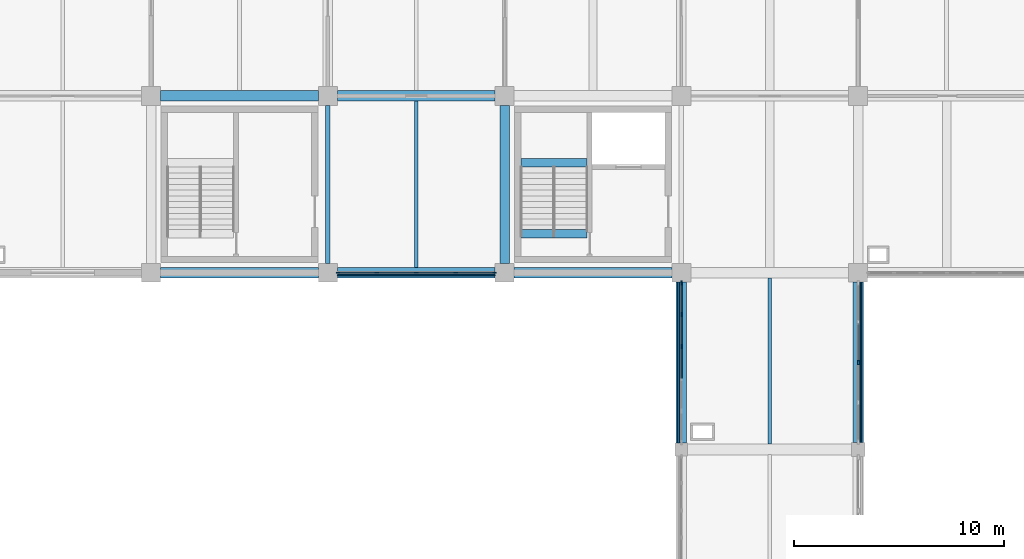
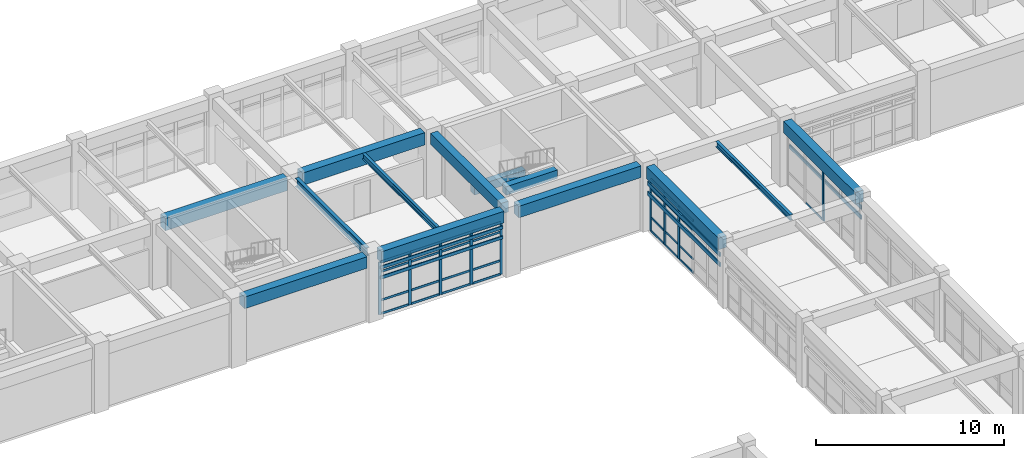
# One storey, part 40 of 99: 44 members, 13 beams, 3 elements without a shape of their own.
"""IFC4 building model written with IfcOpenShell, lengths in metres."""

from ifc_helpers import new_model, si_unit, direction, frame, origin, origin_2d, place, context, subcontext, project, spatial, rectangle, i_section, extrude, material, layer, layer_set, material_profile, profile_set, type_object, element, aggregate, save


model = new_model("IFC4")

# Units and contexts
model_context = context("Model", 3, precision=1e-05, world=origin(), true_north=direction((0.0, 1.0)))
body_context = subcontext(model_context, "Body", "Model", "MODEL_VIEW")
ifc_project = project(units=[si_unit("LENGTHUNIT", "METRE"), si_unit("AREAUNIT", "SQUARE_METRE"), si_unit("VOLUMEUNIT", "CUBIC_METRE"), si_unit("PLANEANGLEUNIT", "RADIAN"), si_unit("MASSUNIT", "GRAM", prefix="KILO")], contexts=[model_context])

# Site, building, storey
site_placement = place(None, origin())
site = spatial("IfcSite", under=ifc_project, at=site_placement, CompositionType="ELEMENT")
building_placement = place(site_placement, origin())
building = spatial("IfcBuilding", under=site, at=building_placement, Name="Porcellanite Civic Hall", CompositionType="ELEMENT")
storey_placement = place(building_placement, frame((0.0, 0.0, 5.760009765625)))
storey = spatial("IfcBuildingStorey", under=building, at=storey_placement, Name="L01", CompositionType="ELEMENT", Elevation=5.760009765625)

# Beams
ifc_material_1 = material(Name="Concrete N50 (50 MPa)", Category="concrete")
ifc_material_profile_1 = material_profile(ifc_material_1, rectangle(XDim=0.39990234375, YDim=0.550048828125, at=origin_2d()), Name="RC-400x550")
ifc_profile_set_1 = profile_set([ifc_material_profile_1], Name="Concrete N50 (50 MPa)")
beam_type_1 = type_object("IfcBeamType", Name="BM-RC550", PredefinedType="JOIST", material=ifc_profile_set_1)
for number, where, z_axis, x_axis, name in (
    (1, (109.98046875, 106.02490234375, 1.885009765625), (1.0, 0.0, 0.0), (0.0, 1.0, 0.0), "Stair landing beam C4 L01"),
    (2, (109.98046875, 102.64990234375, 3.925048828125), (1.0, 0.0, 0.0), (0.0, 1.0, 0.0), "Stair header beam C4 L01"),
):
    element("IfcBeam", number, at=place(storey_placement, frame(where, z_axis=z_axis, x_axis=x_axis)), inside=storey, type_object=beam_type_1, Name=name, PredefinedType="JOIST", context=body_context, shape_type="SweptSolid", body=[
        extrude(rectangle(XDim=0.39990234375, YDim=0.550048828125, at=origin_2d()), origin(), (0.0, 0.0, 1.0), 3.138916015625),
    ])
ifc_material_2 = material(Name="Concrete N50 (50 MPa)", Category="concrete")
ifc_material_profile_2 = material_profile(ifc_material_2, rectangle(XDim=0.449951171875, YDim=0.699951171875, at=origin_2d()), Name="RC-450x700")
ifc_profile_set_2 = profile_set([ifc_material_profile_2], Name="Concrete N50 (50 MPa)")
beam_type_2 = type_object("IfcBeamType", Name="BM-RC700", PredefinedType="BEAM", material=ifc_profile_set_2)
beam_1_placement = place(storey_placement, frame((109.199951171875, 101.24951171875, 3.85009765625), z_axis=(0.0, 1.0, 0.0), x_axis=(-1.0, 0.0, 0.0)))
element("IfcBeam", 3, at=beam_1_placement, inside=storey, type_object=beam_type_2, Name="Beam Y L01 14-13", PredefinedType="BEAM", context=body_context, shape_type="SweptSolid", body=[
    extrude(rectangle(XDim=0.449951171875, YDim=0.699951171875, at=origin_2d()), origin(), (0.0, 0.0, 1.0), 7.5009765625),
])
ifc_material_3 = material(Name="Concrete N50 (50 MPa)", Category="concrete")
ifc_material_profile_3 = material_profile(ifc_material_3, rectangle(XDim=0.5, YDim=0.75, at=origin_2d()), Name="RC-500x750")
ifc_profile_set_3 = profile_set([ifc_material_profile_3], Name="Concrete N50 (50 MPa)")
beam_type_3 = type_object("IfcBeamType", Name="BM-RC750", PredefinedType="SPANDREL", material=ifc_profile_set_3)
for number, where, z_axis, x_axis, name in (
    (4, (92.849609375, 100.800048828125, 3.824951171875), (1.0, 0.0, 0.0), (0.0, 1.0, 0.0), "Beam X L01 12-13"),
    (5, (101.24951171875, 100.800048828125, 3.824951171875), (1.0, 0.0, 0.0), (0.0, 1.0, 0.0), "Beam X L01 13-13"),
    (6, (109.6494140625, 100.800048828125, 3.824951171875), (1.0, 0.0, 0.0), (0.0, 1.0, 0.0), "Beam X L01 14-13"),
):
    element("IfcBeam", number, at=place(storey_placement, frame(where, z_axis=z_axis, x_axis=x_axis)), inside=storey, type_object=beam_type_3, Name=name, PredefinedType="SPANDREL", context=body_context, shape_type="SweptSolid", body=[
        extrude(rectangle(XDim=0.5, YDim=0.75, at=origin_2d()), origin(), (0.0, 0.0, 1.0), 7.5009765625),
    ])
beam_2_placement = place(storey_placement, frame((117.60009765625, 92.699462890625, 3.824951171875), z_axis=(0.0, 1.0, 0.0), x_axis=(-1.0, 0.0, 0.0)))
element("IfcBeam", 7, at=beam_2_placement, inside=storey, type_object=beam_type_3, Name="Beam Y L01 15-12", PredefinedType="SPANDREL", context=body_context, shape_type="SweptSolid", body=[
    extrude(rectangle(XDim=0.5, YDim=0.75, at=origin_2d()), origin(), (0.0, 0.0, 1.0), 7.651123046875),
])
beam_3_placement = place(storey_placement, frame((126.0, 92.724609375, 3.824951171875), z_axis=(0.0, 1.0, 0.0), x_axis=(-1.0, 0.0, 0.0)))
element("IfcBeam", 8, at=beam_3_placement, inside=storey, type_object=beam_type_3, Name="Beam Y L01 16-12", PredefinedType="SPANDREL", context=body_context, shape_type="SweptSolid", body=[
    extrude(rectangle(XDim=0.5, YDim=0.75, at=origin_2d()), origin(), (0.0, 0.0, 1.0), 7.6259765625),
])
ifc_material_4 = material(Name="Concrete N50 (50 MPa)", Category="concrete")
ifc_material_profile_4 = material_profile(ifc_material_4, rectangle(XDim=0.5, YDim=0.800048828125, at=origin_2d()), Name="RC-500x800")
ifc_profile_set_4 = profile_set([ifc_material_profile_4], Name="Concrete N50 (50 MPa)")
beam_type_4 = type_object("IfcBeamType", Name="BM-RC800", PredefinedType="BEAM", material=ifc_profile_set_4)
for number, where, z_axis, x_axis, name in (
    (9, (92.849609375, 109.199951171875, 3.800048828125), (1.0, 0.0, 0.0), (0.0, 1.0, 0.0), "Beam X L01 12-14"),
    (10, (101.24951171875, 109.199951171875, 3.800048828125), (1.0, 0.0, 0.0), (0.0, 1.0, 0.0), "Beam X L01 13-14"),
):
    element("IfcBeam", number, at=place(storey_placement, frame(where, z_axis=z_axis, x_axis=x_axis)), inside=storey, type_object=beam_type_4, Name=name, PredefinedType="BEAM", context=body_context, shape_type="SweptSolid", body=[
        extrude(rectangle(XDim=0.5, YDim=0.800048828125, at=origin_2d()), origin(), (0.0, 0.0, 1.0), 7.5009765625),
    ])

# Curtain wall, member
ifc_material_5 = material(Name="Anodised aluminium and solar laminated glass", Category="aluminium")
ifc_layer_1 = layer(ifc_material_5, 0.179931640625)
ifc_layer_set_1 = layer_set([ifc_layer_1], Name="Anodised aluminium and solar laminated glass")
curtain_wall_type_1 = type_object("IfcCurtainWallType", Name="CW-SYS03", PredefinedType="NOTDEFINED", material=ifc_layer_set_1)
curtain_wall_1_placement = place(storey_placement, origin())
curtain_wall_1 = element("IfcCurtainWall", 11, at=curtain_wall_1_placement, inside=storey, type_object=curtain_wall_type_1, Name="Curtain wall CW-114", PredefinedType="NOTDEFINED")
ifc_material_6 = material(Name="Anodised aluminium 6063-T6", Category="aluminium")
ifc_material_profile_5 = material_profile(ifc_material_6, rectangle(XDim=0.080078125, YDim=0.2099609375, at=origin_2d()), Name="AL-80x210")
ifc_profile_set_5 = profile_set([ifc_material_profile_5], Name="Anodised aluminium 6063-T6")
member_type_1 = type_object("IfcMemberType", Name="CWM-02", PredefinedType="MULLION", material=ifc_profile_set_5)
member_1_placement = place(storey_placement, frame((126.0, 96.53759765625, 0.0), z_axis=(0.0, 0.0, 1.0), x_axis=(1.0, 0.0, 0.0)))
member_1 = element("IfcMember", 12, at=member_1_placement, type_object=member_type_1, Name="CW-114 mullion 3", PredefinedType="MULLION", context=body_context, shape_type="SweptSolid", body=[
    extrude(rectangle(XDim=0.080078125, YDim=0.2099609375, at=origin_2d()), origin(), (0.0, 0.0, 1.0), 3.39990234375),
])

# Curtain wall, members
ifc_material_7 = material(Name="Anodised aluminium and solar laminated glass", Category="aluminium")
ifc_layer_2 = layer(ifc_material_7, 0.179931640625)
ifc_layer_set_2 = layer_set([ifc_layer_2], Name="Anodised aluminium and solar laminated glass")
curtain_wall_type_2 = type_object("IfcCurtainWallType", Name="CW-SYS01", PredefinedType="NOTDEFINED", material=ifc_layer_set_2)
curtain_wall_2_placement = place(storey_placement, origin())
curtain_wall_2 = element("IfcCurtainWall", 13, at=curtain_wall_2_placement, inside=storey, type_object=curtain_wall_type_2, Name="Curtain wall CW-113", PredefinedType="NOTDEFINED")
ifc_material_8 = material(Name="Anodised aluminium 6063-T6", Category="aluminium")
ifc_material_profile_6 = material_profile(ifc_material_8, rectangle(XDim=0.070068359375, YDim=0.199951171875, at=origin_2d()), Name="AL-70x200")
ifc_profile_set_6 = profile_set([ifc_material_profile_6], Name="Anodised aluminium 6063-T6")
member_type_2 = type_object("IfcMemberType", Name="CWM-05", PredefinedType="MULLION", material=ifc_profile_set_6)
member_2_placement = place(storey_placement, frame((117.60009765625, 97.289794921875, 0.0), z_axis=(0.0, 0.0, 1.0), x_axis=(-1.0, 0.0, 0.0)))
member_2 = element("IfcMember", 14, at=member_2_placement, type_object=member_type_2, Name="CW-113 mullion 4", PredefinedType="MULLION", context=body_context, shape_type="SweptSolid", body=[
    extrude(rectangle(XDim=0.070068359375, YDim=0.199951171875, at=origin_2d()), origin(), (0.0, 0.0, 1.0), 3.39990234375),
])
member_3_placement = place(storey_placement, frame((117.60009765625, 98.8193359375, 0.0), z_axis=(0.0, 0.0, 1.0), x_axis=(-1.0, 0.0, 0.0)))
member_3 = element("IfcMember", 15, at=member_3_placement, type_object=member_type_2, Name="CW-113 mullion 5", PredefinedType="MULLION", context=body_context, shape_type="SweptSolid", body=[
    extrude(rectangle(XDim=0.070068359375, YDim=0.199951171875, at=origin_2d()), origin(), (0.0, 0.0, 1.0), 3.39990234375),
])
member_4_placement = place(storey_placement, frame((117.60009765625, 100.31396484375, 0.0), z_axis=(0.0, 0.0, 1.0), x_axis=(-1.0, 0.0, 0.0)))
member_4 = element("IfcMember", 16, at=member_4_placement, type_object=member_type_2, Name="CW-113 mullion 6", PredefinedType="MULLION", context=body_context, shape_type="SweptSolid", body=[
    extrude(rectangle(XDim=0.070068359375, YDim=0.199951171875, at=origin_2d()), origin(), (0.0, 0.0, 1.0), 3.39990234375),
])

ifc_material_9 = material(Name="Anodised aluminium and solar laminated glass", Category="aluminium")
ifc_layer_3 = layer(ifc_material_9, 0.179931640625)
ifc_layer_set_3 = layer_set([ifc_layer_3], Name="Anodised aluminium and solar laminated glass")
curtain_wall_type_3 = type_object("IfcCurtainWallType", Name="CW-SYS06", PredefinedType="NOTDEFINED", material=ifc_layer_set_3)
curtain_wall_3_placement = place(storey_placement, origin())
curtain_wall_3 = element("IfcCurtainWall", 17, at=curtain_wall_3_placement, inside=storey, type_object=curtain_wall_type_3, Name="Curtain wall CW-104", PredefinedType="NOTDEFINED")
ifc_material_10 = material(Name="Anodised aluminium 6063-T6", Category="aluminium")
ifc_material_profile_7 = material_profile(ifc_material_10, rectangle(XDim=0.06494140625, YDim=0.179931640625, at=origin_2d()), Name="AL-65x180")
ifc_profile_set_7 = profile_set([ifc_material_profile_7], Name="Anodised aluminium 6063-T6")
member_type_3 = type_object("IfcMemberType", Name="CWM-06", PredefinedType="MULLION", material=ifc_profile_set_7)
member_5_placement = place(storey_placement, frame((108.716552734375, 100.800048828125, 0.0), z_axis=(0.0, 0.0, 1.0), x_axis=(0.0, -1.0, 0.0)))
member_5 = element("IfcMember", 18, at=member_5_placement, type_object=member_type_3, Name="CW-104 mullion 1", PredefinedType="MULLION", context=body_context, shape_type="SweptSolid", body=[
    extrude(rectangle(XDim=0.06494140625, YDim=0.179931640625, at=origin_2d()), origin(), (0.0, 0.0, 1.0), 3.39990234375),
])
member_6_placement = place(storey_placement, frame((106.87451171875, 100.800048828125, 0.0), z_axis=(0.0, 0.0, 1.0), x_axis=(0.0, -1.0, 0.0)))
member_6 = element("IfcMember", 19, at=member_6_placement, type_object=member_type_3, Name="CW-104 mullion 2", PredefinedType="MULLION", context=body_context, shape_type="SweptSolid", body=[
    extrude(rectangle(XDim=0.06494140625, YDim=0.179931640625, at=origin_2d()), origin(), (0.0, 0.0, 1.0), 3.39990234375),
])
member_7_placement = place(storey_placement, frame((105.0, 100.800048828125, 0.0), z_axis=(0.0, 0.0, 1.0), x_axis=(0.0, -1.0, 0.0)))
member_7 = element("IfcMember", 20, at=member_7_placement, type_object=member_type_3, Name="CW-104 mullion 3", PredefinedType="MULLION", context=body_context, shape_type="SweptSolid", body=[
    extrude(rectangle(XDim=0.06494140625, YDim=0.179931640625, at=origin_2d()), origin(), (0.0, 0.0, 1.0), 3.39990234375),
])
member_8_placement = place(storey_placement, frame((103.12548828125, 100.800048828125, 0.0), z_axis=(0.0, 0.0, 1.0), x_axis=(0.0, -1.0, 0.0)))
member_8 = element("IfcMember", 21, at=member_8_placement, type_object=member_type_3, Name="CW-104 mullion 4", PredefinedType="MULLION", context=body_context, shape_type="SweptSolid", body=[
    extrude(rectangle(XDim=0.06494140625, YDim=0.179931640625, at=origin_2d()), origin(), (0.0, 0.0, 1.0), 3.39990234375),
])
member_9_placement = place(storey_placement, frame((101.283447265625, 100.800048828125, 0.0), z_axis=(0.0, 0.0, 1.0), x_axis=(0.0, -1.0, 0.0)))
member_9 = element("IfcMember", 22, at=member_9_placement, type_object=member_type_3, Name="CW-104 mullion 5", PredefinedType="MULLION", context=body_context, shape_type="SweptSolid", body=[
    extrude(rectangle(XDim=0.06494140625, YDim=0.179931640625, at=origin_2d()), origin(), (0.0, 0.0, 1.0), 3.39990234375),
])

# Member
ifc_material_11 = material(Name="Anodised aluminium 6063-T6", Category="aluminium")
ifc_material_profile_8 = material_profile(ifc_material_11, rectangle(XDim=0.06005859375, YDim=0.1298828125, at=origin_2d()), Name="AL-60x130")
ifc_profile_set_8 = profile_set([ifc_material_profile_8], Name="Anodised aluminium 6063-T6")
member_type_4 = type_object("IfcMemberType", Name="CWT-03", PredefinedType="USERDEFINED", material=ifc_profile_set_8)
member_10_placement = place(storey_placement, frame((117.60009765625, 95.795166015625, 0.030029296875), z_axis=(0.0, 1.0, 0.0), x_axis=(-1.0, 0.0, 0.0)))
member_10 = element("IfcMember", 23, at=member_10_placement, type_object=member_type_4, Name="CW-113 transom 3.1", ObjectType="TRANSOM", PredefinedType="USERDEFINED", context=body_context, shape_type="SweptSolid", body=[
    extrude(rectangle(XDim=0.06005859375, YDim=0.1298828125, at=origin_2d()), origin(), (0.0, 0.0, 1.0), 1.459716796875),
])

member_11_placement = place(storey_placement, frame((117.60009765625, 95.795166015625, 0.89990234375), z_axis=(0.0, 1.0, 0.0), x_axis=(-1.0, 0.0, 0.0)))
member_11 = element("IfcMember", 24, at=member_11_placement, type_object=member_type_4, Name="CW-113 transom 3.2", ObjectType="TRANSOM", PredefinedType="USERDEFINED", context=body_context, shape_type="SweptSolid", body=[
    extrude(rectangle(XDim=0.06005859375, YDim=0.1298828125, at=origin_2d()), origin(), (0.0, 0.0, 1.0), 1.459716796875),
])

member_12_placement = place(storey_placement, frame((117.60009765625, 95.795166015625, 2.75), z_axis=(0.0, 1.0, 0.0), x_axis=(-1.0, 0.0, 0.0)))
member_12 = element("IfcMember", 25, at=member_12_placement, type_object=member_type_4, Name="CW-113 transom 3.3", ObjectType="TRANSOM", PredefinedType="USERDEFINED", context=body_context, shape_type="SweptSolid", body=[
    extrude(rectangle(XDim=0.06005859375, YDim=0.1298828125, at=origin_2d()), origin(), (0.0, 0.0, 1.0), 1.459716796875),
])

member_13_placement = place(storey_placement, frame((117.60009765625, 95.795166015625, 3.369873046875), z_axis=(0.0, 1.0, 0.0), x_axis=(-1.0, 0.0, 0.0)))
member_13 = element("IfcMember", 26, at=member_13_placement, type_object=member_type_4, Name="CW-113 transom 3.4", ObjectType="TRANSOM", PredefinedType="USERDEFINED", context=body_context, shape_type="SweptSolid", body=[
    extrude(rectangle(XDim=0.06005859375, YDim=0.1298828125, at=origin_2d()), origin(), (0.0, 0.0, 1.0), 1.459716796875),
])

member_14_placement = place(storey_placement, frame((117.60009765625, 97.32470703125, 0.030029296875), z_axis=(0.0, 1.0, 0.0), x_axis=(-1.0, 0.0, 0.0)))
member_14 = element("IfcMember", 27, at=member_14_placement, type_object=member_type_4, Name="CW-113 transom 4.1", ObjectType="TRANSOM", PredefinedType="USERDEFINED", context=body_context, shape_type="SweptSolid", body=[
    extrude(rectangle(XDim=0.06005859375, YDim=0.1298828125, at=origin_2d()), origin(), (0.0, 0.0, 1.0), 1.459716796875),
])

member_15_placement = place(storey_placement, frame((117.60009765625, 97.32470703125, 0.89990234375), z_axis=(0.0, 1.0, 0.0), x_axis=(-1.0, 0.0, 0.0)))
member_15 = element("IfcMember", 28, at=member_15_placement, type_object=member_type_4, Name="CW-113 transom 4.2", ObjectType="TRANSOM", PredefinedType="USERDEFINED", context=body_context, shape_type="SweptSolid", body=[
    extrude(rectangle(XDim=0.06005859375, YDim=0.1298828125, at=origin_2d()), origin(), (0.0, 0.0, 1.0), 1.459716796875),
])

member_16_placement = place(storey_placement, frame((117.60009765625, 97.32470703125, 2.75), z_axis=(0.0, 1.0, 0.0), x_axis=(-1.0, 0.0, 0.0)))
member_16 = element("IfcMember", 29, at=member_16_placement, type_object=member_type_4, Name="CW-113 transom 4.3", ObjectType="TRANSOM", PredefinedType="USERDEFINED", context=body_context, shape_type="SweptSolid", body=[
    extrude(rectangle(XDim=0.06005859375, YDim=0.1298828125, at=origin_2d()), origin(), (0.0, 0.0, 1.0), 1.459716796875),
])

member_17_placement = place(storey_placement, frame((117.60009765625, 97.32470703125, 3.369873046875), z_axis=(0.0, 1.0, 0.0), x_axis=(-1.0, 0.0, 0.0)))
member_17 = element("IfcMember", 30, at=member_17_placement, type_object=member_type_4, Name="CW-113 transom 4.4", ObjectType="TRANSOM", PredefinedType="USERDEFINED", context=body_context, shape_type="SweptSolid", body=[
    extrude(rectangle(XDim=0.06005859375, YDim=0.1298828125, at=origin_2d()), origin(), (0.0, 0.0, 1.0), 1.459716796875),
])

member_18_placement = place(storey_placement, frame((117.60009765625, 98.8544921875, 0.030029296875), z_axis=(0.0, 1.0, 0.0), x_axis=(-1.0, 0.0, 0.0)))
member_18 = element("IfcMember", 31, at=member_18_placement, type_object=member_type_4, Name="CW-113 transom 5.1", ObjectType="TRANSOM", PredefinedType="USERDEFINED", context=body_context, shape_type="SweptSolid", body=[
    extrude(rectangle(XDim=0.06005859375, YDim=0.1298828125, at=origin_2d()), origin(), (0.0, 0.0, 1.0), 1.424560546875),
])

member_19_placement = place(storey_placement, frame((117.60009765625, 98.8544921875, 0.89990234375), z_axis=(0.0, 1.0, 0.0), x_axis=(-1.0, 0.0, 0.0)))
member_19 = element("IfcMember", 32, at=member_19_placement, type_object=member_type_4, Name="CW-113 transom 5.2", ObjectType="TRANSOM", PredefinedType="USERDEFINED", context=body_context, shape_type="SweptSolid", body=[
    extrude(rectangle(XDim=0.06005859375, YDim=0.1298828125, at=origin_2d()), origin(), (0.0, 0.0, 1.0), 1.424560546875),
])

member_20_placement = place(storey_placement, frame((117.60009765625, 98.8544921875, 2.75), z_axis=(0.0, 1.0, 0.0), x_axis=(-1.0, 0.0, 0.0)))
member_20 = element("IfcMember", 33, at=member_20_placement, type_object=member_type_4, Name="CW-113 transom 5.3", ObjectType="TRANSOM", PredefinedType="USERDEFINED", context=body_context, shape_type="SweptSolid", body=[
    extrude(rectangle(XDim=0.06005859375, YDim=0.1298828125, at=origin_2d()), origin(), (0.0, 0.0, 1.0), 1.424560546875),
])

member_21_placement = place(storey_placement, frame((117.60009765625, 98.8544921875, 3.369873046875), z_axis=(0.0, 1.0, 0.0), x_axis=(-1.0, 0.0, 0.0)))
member_21 = element("IfcMember", 34, at=member_21_placement, type_object=member_type_4, Name="CW-113 transom 5.4", ObjectType="TRANSOM", PredefinedType="USERDEFINED", context=body_context, shape_type="SweptSolid", body=[
    extrude(rectangle(XDim=0.06005859375, YDim=0.1298828125, at=origin_2d()), origin(), (0.0, 0.0, 1.0), 1.424560546875),
])

aggregate(curtain_wall_2, [member_2, member_3, member_4, member_10, member_11, member_12, member_13, member_14, member_15, member_16, member_17, member_18, member_19, member_20, member_21])

ifc_material_12 = material(Name="Anodised aluminium 6063-T6", Category="aluminium")
ifc_material_profile_9 = material_profile(ifc_material_12, rectangle(XDim=0.054931640625, YDim=0.1201171875, at=origin_2d()), Name="AL-55x120")
ifc_profile_set_9 = profile_set([ifc_material_profile_9], Name="Anodised aluminium 6063-T6")
member_type_5 = type_object("IfcMemberType", Name="CWT-04", PredefinedType="USERDEFINED", material=ifc_profile_set_9)
member_22_placement = place(storey_placement, frame((126.0, 98.4033203125, 0.027587890625), z_axis=(0.0, -1.0, 0.0), x_axis=(1.0, 0.0, 0.0)))
member_22 = element("IfcMember", 35, at=member_22_placement, type_object=member_type_5, Name="CW-114 transom 2.1", ObjectType="TRANSOM", PredefinedType="USERDEFINED", context=body_context, shape_type="SweptSolid", body=[
    extrude(rectangle(XDim=0.054931640625, YDim=0.1201171875, at=origin_2d()), origin(), (0.0, 0.0, 1.0), 1.825927734375),
])

aggregate(curtain_wall_1, [member_1, member_22])

ifc_material_13 = material(Name="Anodised aluminium 6063-T6", Category="aluminium")
ifc_material_profile_10 = material_profile(ifc_material_13, rectangle(XDim=0.050048828125, YDim=0.139892578125, at=origin_2d()), Name="AL-50x140")
ifc_profile_set_10 = profile_set([ifc_material_profile_10], Name="Anodised aluminium 6063-T6")
member_type_6 = type_object("IfcMemberType", Name="CWT-06", PredefinedType="USERDEFINED", material=ifc_profile_set_10)
member_23_placement = place(storey_placement, frame((108.68408203125, 100.800048828125, 0.02490234375), z_axis=(-1.0, 0.0, 0.0), x_axis=(0.0, -1.0, 0.0)))
member_23 = element("IfcMember", 36, at=member_23_placement, type_object=member_type_6, Name="CW-104 transom 1.1", ObjectType="TRANSOM", PredefinedType="USERDEFINED", context=body_context, shape_type="SweptSolid", body=[
    extrude(rectangle(XDim=0.050048828125, YDim=0.139892578125, at=origin_2d()), origin(), (0.0, 0.0, 1.0), 1.777099609375),
])

member_24_placement = place(storey_placement, frame((108.68408203125, 100.800048828125, 0.89990234375), z_axis=(-1.0, 0.0, 0.0), x_axis=(0.0, -1.0, 0.0)))
member_24 = element("IfcMember", 37, at=member_24_placement, type_object=member_type_6, Name="CW-104 transom 1.2", ObjectType="TRANSOM", PredefinedType="USERDEFINED", context=body_context, shape_type="SweptSolid", body=[
    extrude(rectangle(XDim=0.050048828125, YDim=0.139892578125, at=origin_2d()), origin(), (0.0, 0.0, 1.0), 1.777099609375),
])

member_25_placement = place(storey_placement, frame((108.68408203125, 100.800048828125, 2.75), z_axis=(-1.0, 0.0, 0.0), x_axis=(0.0, -1.0, 0.0)))
member_25 = element("IfcMember", 38, at=member_25_placement, type_object=member_type_6, Name="CW-104 transom 1.3", ObjectType="TRANSOM", PredefinedType="USERDEFINED", context=body_context, shape_type="SweptSolid", body=[
    extrude(rectangle(XDim=0.050048828125, YDim=0.139892578125, at=origin_2d()), origin(), (0.0, 0.0, 1.0), 1.777099609375),
])

member_26_placement = place(storey_placement, frame((108.68408203125, 100.800048828125, 3.375), z_axis=(-1.0, 0.0, 0.0), x_axis=(0.0, -1.0, 0.0)))
member_26 = element("IfcMember", 39, at=member_26_placement, type_object=member_type_6, Name="CW-104 transom 1.4", ObjectType="TRANSOM", PredefinedType="USERDEFINED", context=body_context, shape_type="SweptSolid", body=[
    extrude(rectangle(XDim=0.050048828125, YDim=0.139892578125, at=origin_2d()), origin(), (0.0, 0.0, 1.0), 1.777099609375),
])

member_27_placement = place(storey_placement, frame((106.842041015625, 100.800048828125, 0.02490234375), z_axis=(-1.0, 0.0, 0.0), x_axis=(0.0, -1.0, 0.0)))
member_27 = element("IfcMember", 40, at=member_27_placement, type_object=member_type_6, Name="CW-104 transom 2.1", ObjectType="TRANSOM", PredefinedType="USERDEFINED", context=body_context, shape_type="SweptSolid", body=[
    extrude(rectangle(XDim=0.050048828125, YDim=0.139892578125, at=origin_2d()), origin(), (0.0, 0.0, 1.0), 1.8095703125),
])

member_28_placement = place(storey_placement, frame((106.842041015625, 100.800048828125, 0.89990234375), z_axis=(-1.0, 0.0, 0.0), x_axis=(0.0, -1.0, 0.0)))
member_28 = element("IfcMember", 41, at=member_28_placement, type_object=member_type_6, Name="CW-104 transom 2.2", ObjectType="TRANSOM", PredefinedType="USERDEFINED", context=body_context, shape_type="SweptSolid", body=[
    extrude(rectangle(XDim=0.050048828125, YDim=0.139892578125, at=origin_2d()), origin(), (0.0, 0.0, 1.0), 1.8095703125),
])

member_29_placement = place(storey_placement, frame((106.842041015625, 100.800048828125, 2.75), z_axis=(-1.0, 0.0, 0.0), x_axis=(0.0, -1.0, 0.0)))
member_29 = element("IfcMember", 42, at=member_29_placement, type_object=member_type_6, Name="CW-104 transom 2.3", ObjectType="TRANSOM", PredefinedType="USERDEFINED", context=body_context, shape_type="SweptSolid", body=[
    extrude(rectangle(XDim=0.050048828125, YDim=0.139892578125, at=origin_2d()), origin(), (0.0, 0.0, 1.0), 1.8095703125),
])

member_30_placement = place(storey_placement, frame((106.842041015625, 100.800048828125, 3.375), z_axis=(-1.0, 0.0, 0.0), x_axis=(0.0, -1.0, 0.0)))
member_30 = element("IfcMember", 43, at=member_30_placement, type_object=member_type_6, Name="CW-104 transom 2.4", ObjectType="TRANSOM", PredefinedType="USERDEFINED", context=body_context, shape_type="SweptSolid", body=[
    extrude(rectangle(XDim=0.050048828125, YDim=0.139892578125, at=origin_2d()), origin(), (0.0, 0.0, 1.0), 1.8095703125),
])

member_31_placement = place(storey_placement, frame((104.967529296875, 100.800048828125, 0.02490234375), z_axis=(-1.0, 0.0, 0.0), x_axis=(0.0, -1.0, 0.0)))
member_31 = element("IfcMember", 44, at=member_31_placement, type_object=member_type_6, Name="CW-104 transom 3.1", ObjectType="TRANSOM", PredefinedType="USERDEFINED", context=body_context, shape_type="SweptSolid", body=[
    extrude(rectangle(XDim=0.050048828125, YDim=0.139892578125, at=origin_2d()), origin(), (0.0, 0.0, 1.0), 1.8095703125),
])

member_32_placement = place(storey_placement, frame((104.967529296875, 100.800048828125, 0.89990234375), z_axis=(-1.0, 0.0, 0.0), x_axis=(0.0, -1.0, 0.0)))
member_32 = element("IfcMember", 45, at=member_32_placement, type_object=member_type_6, Name="CW-104 transom 3.2", ObjectType="TRANSOM", PredefinedType="USERDEFINED", context=body_context, shape_type="SweptSolid", body=[
    extrude(rectangle(XDim=0.050048828125, YDim=0.139892578125, at=origin_2d()), origin(), (0.0, 0.0, 1.0), 1.8095703125),
])

member_33_placement = place(storey_placement, frame((104.967529296875, 100.800048828125, 2.75), z_axis=(-1.0, 0.0, 0.0), x_axis=(0.0, -1.0, 0.0)))
member_33 = element("IfcMember", 46, at=member_33_placement, type_object=member_type_6, Name="CW-104 transom 3.3", ObjectType="TRANSOM", PredefinedType="USERDEFINED", context=body_context, shape_type="SweptSolid", body=[
    extrude(rectangle(XDim=0.050048828125, YDim=0.139892578125, at=origin_2d()), origin(), (0.0, 0.0, 1.0), 1.8095703125),
])

member_34_placement = place(storey_placement, frame((104.967529296875, 100.800048828125, 3.375), z_axis=(-1.0, 0.0, 0.0), x_axis=(0.0, -1.0, 0.0)))
member_34 = element("IfcMember", 47, at=member_34_placement, type_object=member_type_6, Name="CW-104 transom 3.4", ObjectType="TRANSOM", PredefinedType="USERDEFINED", context=body_context, shape_type="SweptSolid", body=[
    extrude(rectangle(XDim=0.050048828125, YDim=0.139892578125, at=origin_2d()), origin(), (0.0, 0.0, 1.0), 1.8095703125),
])

member_35_placement = place(storey_placement, frame((103.093017578125, 100.800048828125, 0.02490234375), z_axis=(-1.0, 0.0, 0.0), x_axis=(0.0, -1.0, 0.0)))
member_35 = element("IfcMember", 48, at=member_35_placement, type_object=member_type_6, Name="CW-104 transom 4.1", ObjectType="TRANSOM", PredefinedType="USERDEFINED", context=body_context, shape_type="SweptSolid", body=[
    extrude(rectangle(XDim=0.050048828125, YDim=0.139892578125, at=origin_2d()), origin(), (0.0, 0.0, 1.0), 1.777099609375),
])

member_36_placement = place(storey_placement, frame((103.093017578125, 100.800048828125, 0.89990234375), z_axis=(-1.0, 0.0, 0.0), x_axis=(0.0, -1.0, 0.0)))
member_36 = element("IfcMember", 49, at=member_36_placement, type_object=member_type_6, Name="CW-104 transom 4.2", ObjectType="TRANSOM", PredefinedType="USERDEFINED", context=body_context, shape_type="SweptSolid", body=[
    extrude(rectangle(XDim=0.050048828125, YDim=0.139892578125, at=origin_2d()), origin(), (0.0, 0.0, 1.0), 1.777099609375),
])

member_37_placement = place(storey_placement, frame((103.093017578125, 100.800048828125, 2.75), z_axis=(-1.0, 0.0, 0.0), x_axis=(0.0, -1.0, 0.0)))
member_37 = element("IfcMember", 50, at=member_37_placement, type_object=member_type_6, Name="CW-104 transom 4.3", ObjectType="TRANSOM", PredefinedType="USERDEFINED", context=body_context, shape_type="SweptSolid", body=[
    extrude(rectangle(XDim=0.050048828125, YDim=0.139892578125, at=origin_2d()), origin(), (0.0, 0.0, 1.0), 1.777099609375),
])

member_38_placement = place(storey_placement, frame((103.093017578125, 100.800048828125, 3.375), z_axis=(-1.0, 0.0, 0.0), x_axis=(0.0, -1.0, 0.0)))
member_38 = element("IfcMember", 51, at=member_38_placement, type_object=member_type_6, Name="CW-104 transom 4.4", ObjectType="TRANSOM", PredefinedType="USERDEFINED", context=body_context, shape_type="SweptSolid", body=[
    extrude(rectangle(XDim=0.050048828125, YDim=0.139892578125, at=origin_2d()), origin(), (0.0, 0.0, 1.0), 1.777099609375),
])

aggregate(curtain_wall_3, [member_5, member_6, member_7, member_8, member_9, member_23, member_24, member_25, member_26, member_27, member_28, member_29, member_30, member_31, member_32, member_33, member_34, member_35, member_36, member_37, member_38])

# Beams
ifc_material_14 = material(Name="Steel Grade 350", Category="steel")
ifc_material_profile_11 = material_profile(ifc_material_14, i_section(OverallWidth=0.1708984375, OverallDepth=0.35595703125, WebThickness=0.00732421875, FlangeThickness=0.011474609375, FilletRadius=0.011474609375, at=origin_2d()), Name="360UB50.7")
ifc_profile_set_11 = profile_set([ifc_material_profile_11], Name="Steel Grade 350")
beam_type_5 = type_object("IfcBeamType", Name="JST-360UB51", PredefinedType="JOIST", material=ifc_profile_set_11)
beam_4_placement = place(storey_placement, frame((121.800048828125, 92.6494140625, 4.02197265625), z_axis=(0.0, 1.0, 0.0), x_axis=(-1.0, 0.0, 0.0)))
element("IfcBeam", 52, at=beam_4_placement, inside=storey, type_object=beam_type_5, Name="Secondary joist L01 15-12", PredefinedType="JOIST", context=body_context, shape_type="SweptSolid", body=[
    extrude(i_section(OverallWidth=0.1708984375, OverallDepth=0.35595703125, WebThickness=0.00732421875, FlangeThickness=0.011474609375, FilletRadius=0.011474609375, at=origin_2d()), origin(), (0.0, 0.0, 1.0), 7.901123046875),
])
ifc_material_15 = material(Name="Steel Grade 350", Category="steel")
ifc_material_profile_12 = material_profile(ifc_material_15, i_section(OverallWidth=0.172119140625, OverallDepth=0.35888671875, WebThickness=0.008056640625, FlangeThickness=0.012939453125, FilletRadius=0.011474609375, at=origin_2d()), Name="360UB56.7")
ifc_profile_set_12 = profile_set([ifc_material_profile_12], Name="Steel Grade 350")
beam_type_6 = type_object("IfcBeamType", Name="JST-360UB57", PredefinedType="JOIST", material=ifc_profile_set_12)
beam_5_placement = place(storey_placement, frame((105.0, 101.049560546875, 4.0205078125), z_axis=(0.0, 1.0, 0.0), x_axis=(-1.0, 0.0, 0.0)))
element("IfcBeam", 53, at=beam_5_placement, inside=storey, type_object=beam_type_6, Name="Secondary joist L01 13-13", PredefinedType="JOIST", context=body_context, shape_type="SweptSolid", body=[
    extrude(i_section(OverallWidth=0.172119140625, OverallDepth=0.35888671875, WebThickness=0.008056640625, FlangeThickness=0.012939453125, FilletRadius=0.011474609375, at=origin_2d()), origin(), (0.0, 0.0, 1.0), 7.90087890625),
])

# Members
ifc_material_16 = material(Name="Fluoropolymer bauxite-red aluminium 6063-T6", Category="aluminium")
ifc_material_profile_13 = material_profile(ifc_material_16, rectangle(XDim=0.070068359375, YDim=0.260009765625, at=origin_2d()), Name="AL-70x260")
ifc_profile_set_13 = profile_set([ifc_material_profile_13], Name="Fluoropolymer bauxite-red aluminium 6063-T6")
member_type_7 = type_object("IfcMemberType", Name="LV-BLD06", PredefinedType="USERDEFINED", material=ifc_profile_set_13)
for number, where, z_axis, x_axis, name in (
    (54, (117.462890625, 92.699462890625, 3.10009765625), (0.0, 1.0, 0.0), (-1.0, 0.0, 0.0), "Cyclone sunshade louvre L01 W 14-11 1"),
    (55, (117.462890625, 92.699462890625, 2.449951171875), (0.0, 1.0, 0.0), (-1.0, 0.0, 0.0), "Cyclone sunshade louvre L01 W 14-11 2"),
):
    element("IfcMember", number, at=place(storey_placement, frame(where, z_axis=z_axis, x_axis=x_axis)), inside=storey, type_object=member_type_7, Name=name, ObjectType="LOUVRE BLADE", PredefinedType="USERDEFINED", context=body_context, shape_type="SweptSolid", body=[
        extrude(rectangle(XDim=0.070068359375, YDim=0.260009765625, at=origin_2d()), origin(), (0.0, 0.0, 1.0), 7.651123046875),
    ])
ifc_material_17 = material(Name="Fluoropolymer bauxite-red aluminium 6063-T6", Category="aluminium")
ifc_material_profile_14 = material_profile(ifc_material_17, rectangle(XDim=0.06494140625, YDim=0.239990234375, at=origin_2d()), Name="AL-65x240")
ifc_profile_set_14 = profile_set([ifc_material_profile_14], Name="Fluoropolymer bauxite-red aluminium 6063-T6")
member_type_8 = type_object("IfcMemberType", Name="LV-BLD07", PredefinedType="USERDEFINED", material=ifc_profile_set_14)
for number, where, z_axis, x_axis, name in (
    (56, (126.139404296875, 100.3505859375, 3.10009765625), (0.0, -1.0, 0.0), (1.0, 0.0, 0.0), "Cyclone sunshade louvre L01 E 14-11 1"),
    (57, (126.139404296875, 100.3505859375, 2.449951171875), (0.0, -1.0, 0.0), (1.0, 0.0, 0.0), "Cyclone sunshade louvre L01 E 14-11 2"),
):
    element("IfcMember", number, at=place(storey_placement, frame(where, z_axis=z_axis, x_axis=x_axis)), inside=storey, type_object=member_type_8, Name=name, ObjectType="LOUVRE BLADE", PredefinedType="USERDEFINED", context=body_context, shape_type="SweptSolid", body=[
        extrude(rectangle(XDim=0.06494140625, YDim=0.239990234375, at=origin_2d()), origin(), (0.0, 0.0, 1.0), 7.6259765625),
    ])
ifc_material_18 = material(Name="Fluoropolymer bauxite-red aluminium 6063-T6", Category="aluminium")
ifc_material_profile_15 = material_profile(ifc_material_18, rectangle(XDim=0.054931640625, YDim=0.199951171875, at=origin_2d()), Name="AL-55x200")
ifc_profile_set_15 = profile_set([ifc_material_profile_15], Name="Fluoropolymer bauxite-red aluminium 6063-T6")
member_type_9 = type_object("IfcMemberType", Name="LV-BLD09", PredefinedType="USERDEFINED", material=ifc_profile_set_15)
for number, where, z_axis, x_axis, name in (
    (58, (108.75048828125, 100.680419921875, 3.10009765625), (-1.0, 0.0, 0.0), (0.0, -1.0, 0.0), "Cyclone sunshade louvre L01 S 12-12 1"),
    (59, (108.75048828125, 100.680419921875, 2.449951171875), (-1.0, 0.0, 0.0), (0.0, -1.0, 0.0), "Cyclone sunshade louvre L01 S 12-12 2"),
):
    element("IfcMember", number, at=place(storey_placement, frame(where, z_axis=z_axis, x_axis=x_axis)), inside=storey, type_object=member_type_9, Name=name, ObjectType="LOUVRE BLADE", PredefinedType="USERDEFINED", context=body_context, shape_type="SweptSolid", body=[
        extrude(rectangle(XDim=0.054931640625, YDim=0.199951171875, at=origin_2d()), origin(), (0.0, 0.0, 1.0), 7.5009765625),
    ])

# Beam
ifc_material_19 = material(Name="Steel Grade 350", Category="steel")
ifc_material_profile_16 = material_profile(ifc_material_19, i_section(OverallWidth=0.208984375, OverallDepth=0.528076171875, WebThickness=0.009521484375, FlangeThickness=0.01318359375, FilletRadius=0.013916015625, at=origin_2d()), Name="530UB82.0")
ifc_profile_set_16 = profile_set([ifc_material_profile_16], Name="Steel Grade 350")
beam_type_7 = type_object("IfcBeamType", Name="RAF-530UB82", PredefinedType="BEAM", material=ifc_profile_set_16)
beam_6_placement = place(storey_placement, frame((100.800048828125, 101.24951171875, 3.93603515625), z_axis=(0.0, 1.0, 0.0), x_axis=(-1.0, 0.0, 0.0)))
element("IfcBeam", 60, at=beam_6_placement, inside=storey, type_object=beam_type_7, Name="Beam Y L01 13-13", PredefinedType="BEAM", context=body_context, shape_type="SweptSolid", body=[
    extrude(i_section(OverallWidth=0.208984375, OverallDepth=0.528076171875, WebThickness=0.009521484375, FlangeThickness=0.01318359375, FilletRadius=0.013916015625, at=origin_2d()), origin(), (0.0, 0.0, 1.0), 7.5009765625),
])

save(model, "model.ifc")
